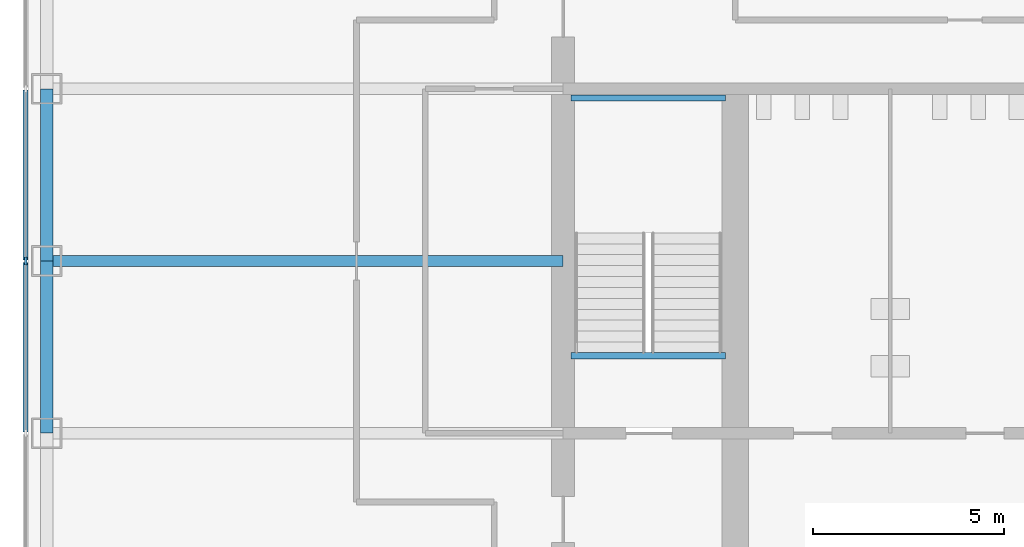
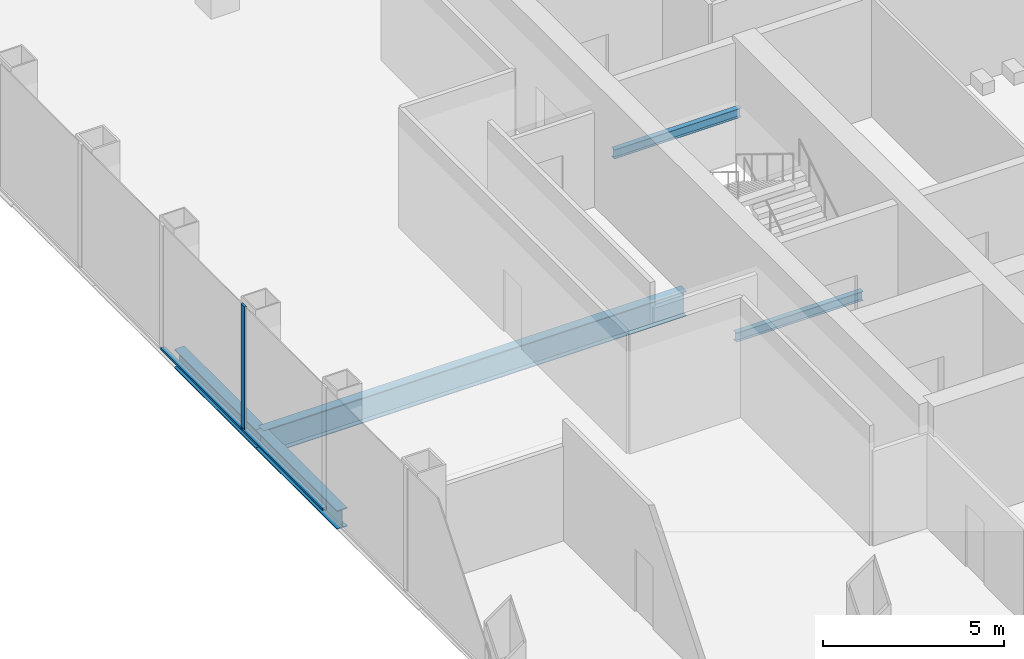
# One storey, part 3 of 12: 5 beams, 3 members, 1 element without a shape of its own.
"""IFC4 building model written with IfcOpenShell, lengths in metres."""

from ifc_helpers import new_model, si_unit, direction, frame, origin, origin_2d, place, context, subcontext, project, spatial, rectangle, i_section, extrude, material, material_profile, profile_set, type_object, element, aggregate, save


model = new_model("IFC4")

# Units and contexts
model_context = context("Model", 3, precision=1e-05, world=origin(), true_north=direction((0.0, 1.0)))
body_context = subcontext(model_context, "Body", "Model", "MODEL_VIEW")
ifc_project = project(units=[si_unit("LENGTHUNIT", "METRE"), si_unit("AREAUNIT", "SQUARE_METRE"), si_unit("VOLUMEUNIT", "CUBIC_METRE"), si_unit("PLANEANGLEUNIT", "RADIAN"), si_unit("MASSUNIT", "GRAM", prefix="KILO")], contexts=[model_context])

# Site, building, storey
site_placement = place(None, origin())
site = spatial("IfcSite", under=ifc_project, at=site_placement, CompositionType="ELEMENT")
building_placement = place(site_placement, origin())
building = spatial("IfcBuilding", under=site, at=building_placement, Name="Corais Broadcast Tower", CompositionType="ELEMENT")
storey_placement = place(building_placement, frame((0.0, 0.0, 54.199951171875)))
storey = spatial("IfcBuildingStorey", under=building, at=storey_placement, Name="L11", CompositionType="ELEMENT", Elevation=54.199951171875)

# Beams
ifc_material_1 = material(Name="Steel ASTM A572 Grade 50", Category="steel")
ifc_material_profile_1 = material_profile(ifc_material_1, i_section(OverallWidth=0.2939453125, OverallDepth=0.85107421875, WebThickness=0.01611328125, FlangeThickness=0.02685546875, at=origin_2d()), Name="W840x226")
ifc_profile_set_1 = profile_set([ifc_material_profile_1], Name="Steel ASTM A572 Grade 50")
beam_type_1 = type_object("IfcBeamType", Name="Floor beam W840x226", PredefinedType="BEAM", material=ifc_profile_set_1)
beam_placement = place(storey_placement, frame((0.0, 27.0, -0.58544921875), z_axis=(1.0, 0.0, 0.0), x_axis=(0.0, 1.0, 0.0)))
element("IfcBeam", 1, at=beam_placement, inside=storey, type_object=beam_type_1, Name="B1 G/3 to G/6", PredefinedType="BEAM", context=body_context, shape_type="SweptSolid", body=[
    extrude(i_section(OverallWidth=0.2939453125, OverallDepth=0.85107421875, WebThickness=0.01611328125, FlangeThickness=0.02685546875, at=origin_2d()), origin(), (0.0, 0.0, 1.0), 13.5),
])
ifc_material_2 = material(Name="Steel ASTM A572 Grade 50", Category="steel")
ifc_material_profile_2 = material_profile(ifc_material_2, i_section(OverallWidth=0.1650390625, OverallDepth=0.31005859375, WebThickness=0.005859375, FlangeThickness=0.009765625, at=origin_2d()), Name="W310x38.7")
ifc_profile_set_2 = profile_set([ifc_material_profile_2], Name="Steel ASTM A572 Grade 50")
beam_type_2 = type_object("IfcBeamType", Name="Landing trimmer W310x38.7", PredefinedType="BEAM", material=ifc_profile_set_2)
for number, where, z_axis, x_axis, name in (
    (2, (13.699951171875, 24.52490234375, -0.35498046875), (1.0, 0.0, 0.0), (0.0, 1.0, 0.0), "LT1 stair A landing trimmer L11"),
    (3, (13.699951171875, 31.260009765625, 1.7451171875), (1.0, 0.0, 0.0), (0.0, 1.0, 0.0), "LT1 stair A half landing trimmer L11"),
):
    element("IfcBeam", number, at=place(storey_placement, frame(where, z_axis=z_axis, x_axis=x_axis)), inside=storey, type_object=beam_type_2, Name=name, PredefinedType="BEAM", context=body_context, shape_type="SweptSolid", body=[
        extrude(i_section(OverallWidth=0.1650390625, OverallDepth=0.31005859375, WebThickness=0.005859375, FlangeThickness=0.009765625, at=origin_2d()), origin(), (0.0, 0.0, 1.0), 4.050048828125),
    ])

# Curtain wall, member
ifc_material_3 = material(Name="Aluminium and glass", Category="aluminium")
curtain_wall_type = type_object("IfcCurtainWallType", Name="Unitised fritted curtain wall CW1", PredefinedType="NOTDEFINED", material=ifc_material_3)
curtain_wall_placement = place(storey_placement, origin())
curtain_wall = element("IfcCurtainWall", 4, at=curtain_wall_placement, inside=storey, type_object=curtain_wall_type, Name="CW1 curtain wall L11 2", PredefinedType="NOTDEFINED")
ifc_material_4 = material(Name="Aluminium 6063-T6", Category="aluminium")
ifc_material_profile_3 = material_profile(ifc_material_4, rectangle(XDim=0.06494140625, YDim=0.199951171875, at=origin_2d()), Name="Mullion CW1 65x200")
ifc_profile_set_3 = profile_set([ifc_material_profile_3], Name="Aluminium 6063-T6")
member_type_1 = type_object("IfcMemberType", Name="Mullion CW1 65x200", PredefinedType="MULLION", material=ifc_profile_set_3)
member_1_placement = place(storey_placement, frame((-0.550048828125, 27.0, 0.0), z_axis=(0.0, 0.0, 1.0), x_axis=(-1.0, 0.0, 0.0)))
member_1 = element("IfcMember", 5, at=member_1_placement, type_object=member_type_1, Name="CW1 mullion 6", PredefinedType="MULLION", context=body_context, shape_type="SweptSolid", body=[
    extrude(rectangle(XDim=0.06494140625, YDim=0.199951171875, at=origin_2d()), origin(), (0.0, 0.0, 1.0), 4.199951171875),
])

# Beams
ifc_material_5 = material(Name="Steel ASTM A572 Grade 50", Category="steel")
ifc_material_profile_4 = material_profile(ifc_material_5, i_section(OverallWidth=0.3291015625, OverallDepth=0.635009765625, WebThickness=0.017822265625, FlangeThickness=0.031005859375, at=origin_2d()), Name="W610x241")
ifc_profile_set_4 = profile_set([ifc_material_profile_4], Name="Steel ASTM A572 Grade 50")
beam_type_3 = type_object("IfcBeamType", Name="Spandrel W610x241", PredefinedType="BEAM", material=ifc_profile_set_4)
for number, where, z_axis, x_axis, name in (
    (6, (0.0, 27.0, -0.4775390625), (0.0, -1.0, 0.0), (1.0, 0.0, 0.0), "SB1 G/3 to F/3"),
    (7, (0.0, 31.5, -0.4775390625), (0.0, -1.0, 0.0), (1.0, 0.0, 0.0), "SB1 H/3 to G/3"),
):
    element("IfcBeam", number, at=place(storey_placement, frame(where, z_axis=z_axis, x_axis=x_axis)), inside=storey, type_object=beam_type_3, Name=name, PredefinedType="BEAM", context=body_context, shape_type="SweptSolid", body=[
        extrude(i_section(OverallWidth=0.3291015625, OverallDepth=0.635009765625, WebThickness=0.017822265625, FlangeThickness=0.031005859375, at=origin_2d()), origin(), (0.0, 0.0, 1.0), 4.5),
    ])

# Member
ifc_material_6 = material(Name="Aluminium 6063-T6", Category="aluminium")
ifc_material_profile_5 = material_profile(ifc_material_6, rectangle(XDim=0.139892578125, YDim=0.06494140625, at=origin_2d()), Name="Transom CW1 65x140")
ifc_profile_set_5 = profile_set([ifc_material_profile_5], Name="Aluminium 6063-T6")
member_type_2 = type_object("IfcMemberType", Name="Transom CW1 65x140", PredefinedType="USERDEFINED", material=ifc_profile_set_5)
member_2_placement = place(storey_placement, frame((-0.550048828125, 22.532470703125, 0.032470703125), z_axis=(0.0, 1.0, 0.0), x_axis=(-1.0, 0.0, 0.0)))
member_2 = element("IfcMember", 8, at=member_2_placement, type_object=member_type_2, Name="CW1 transom 5.1", ObjectType="TRANSOM", PredefinedType="USERDEFINED", context=body_context, shape_type="SweptSolid", body=[
    extrude(rectangle(XDim=0.139892578125, YDim=0.06494140625, at=origin_2d()), origin(), (0.0, 0.0, 1.0), 4.43505859375),
])

member_3_placement = place(storey_placement, frame((-0.550048828125, 27.032470703125, 0.032470703125), z_axis=(0.0, 1.0, 0.0), x_axis=(-1.0, 0.0, 0.0)))
member_3 = element("IfcMember", 9, at=member_3_placement, type_object=member_type_2, Name="CW1 transom 6.1", ObjectType="TRANSOM", PredefinedType="USERDEFINED", context=body_context, shape_type="SweptSolid", body=[
    extrude(rectangle(XDim=0.139892578125, YDim=0.06494140625, at=origin_2d()), origin(), (0.0, 0.0, 1.0), 4.43505859375),
])

aggregate(curtain_wall, [member_1, member_2, member_3])

save(model, "model.ifc")
